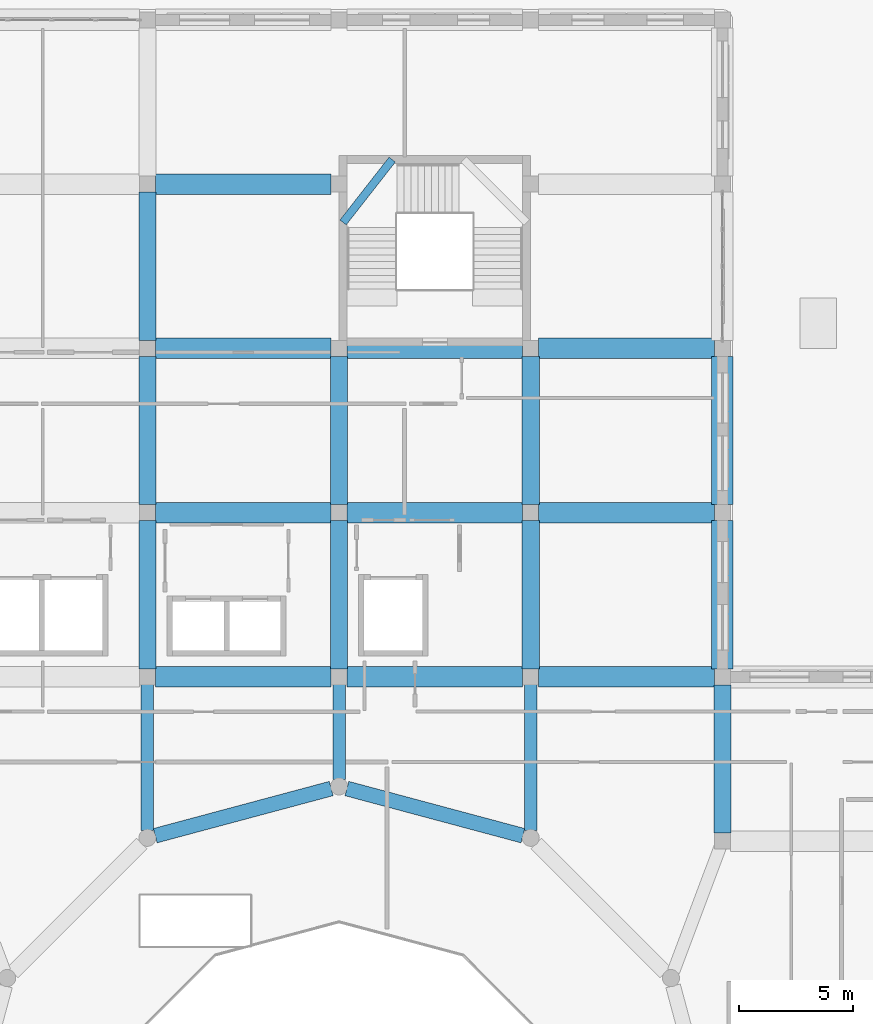
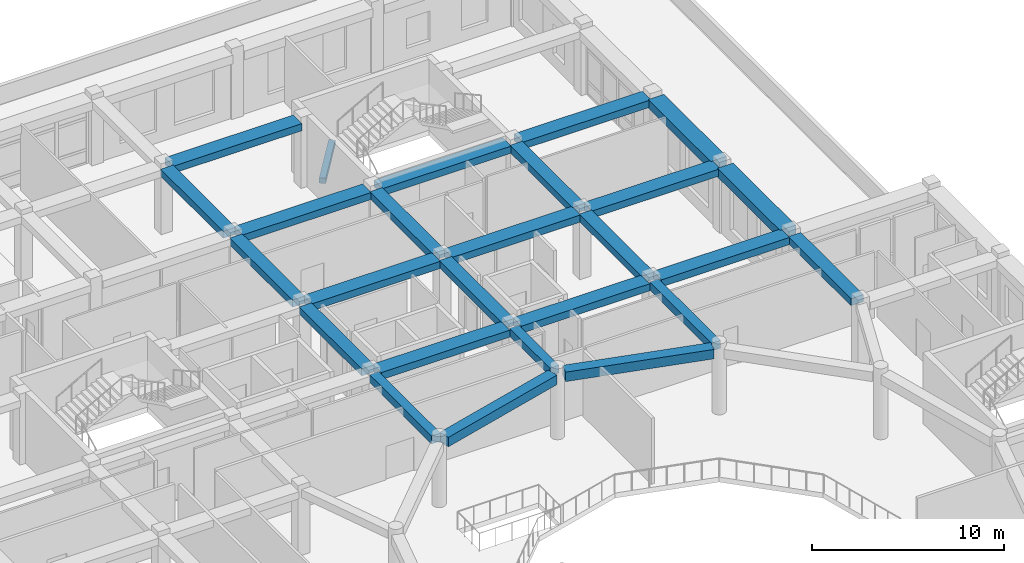
# One storey, part 33 of 100: 26 beams.
"""IFC4 building model written with IfcOpenShell, lengths in metres."""

from ifc_helpers import new_model, si_unit, derived_unit, direction, frame, origin, origin_2d, place, context, subcontext, project, spatial, rectangle, extrude, material, material_profile, profile_set, type_object, element, save


model = new_model("IFC4")

# Units and contexts
model_context = context("Model", 3, precision=1e-05, world=origin(), true_north=direction((0.0, 1.0)))
body_context = subcontext(model_context, "Body", "Model", "MODEL_VIEW")
ifc_project = project(units=[si_unit("LENGTHUNIT", "METRE"), si_unit("AREAUNIT", "SQUARE_METRE"), si_unit("VOLUMEUNIT", "CUBIC_METRE"), si_unit("PLANEANGLEUNIT", "RADIAN"), si_unit("MASSUNIT", "GRAM", prefix="KILO"), derived_unit("THERMALTRANSMITTANCEUNIT", [(si_unit("POWERUNIT", "WATT"), 1), (si_unit("LENGTHUNIT", "METRE"), -2), (si_unit("THERMODYNAMICTEMPERATUREUNIT", "KELVIN"), -1)])], contexts=[model_context])

# Site, building, storey
site_placement = place(None, origin())
site = spatial("IfcSite", under=ifc_project, at=site_placement, CompositionType="ELEMENT")
building_placement = place(site_placement, origin())
building = spatial("IfcBuilding", under=site, at=building_placement, Name="Veybourne Emporium", CompositionType="ELEMENT")
storey_placement = place(building_placement, frame((0.0, 0.0, 14.39990234375)))
storey = spatial("IfcBuildingStorey", under=building, at=storey_placement, Name="L03", CompositionType="ELEMENT", Elevation=14.39990234375)

# Beams
ifc_material = material(Name="Concrete C32/40", Category="concrete")
ifc_material_profile_1 = material_profile(ifc_material, rectangle(XDim=0.35009765625, YDim=0.35009765625, at=origin_2d()), Name="RC 350x350")
ifc_profile_set_1 = profile_set([ifc_material_profile_1], Name="Concrete C32/40")
beam_type_1 = type_object("IfcBeamType", Name="LandingBeam_LB-01", PredefinedType="BEAM", material=ifc_profile_set_1)
beam_1_placement = place(storey_placement, frame((75.77490234375, 91.919921875, 1.125), z_axis=(0.616103103005, 0.787665516871, 0.0), x_axis=(-0.787665516871, 0.616103103005, 0.0)))
element("IfcBeam", 1, at=beam_1_placement, inside=storey, type_object=beam_type_1, Name="L03 ST-04 landing 1 support beam", PredefinedType="BEAM", context=body_context, shape_type="SweptSolid", body=[
    extrude(rectangle(XDim=0.35009765625, YDim=0.35009765625, at=origin_2d()), origin(), (0.0, 0.0, 1.0), 3.497802734375),
])
ifc_material_profile_2 = material_profile(ifc_material, rectangle(XDim=0.89990234375, YDim=0.449951171875, at=origin_2d()), Name="RC 900x450")
ifc_profile_set_2 = profile_set([ifc_material_profile_2], Name="Concrete C32/40")
beam_type_2 = type_object("IfcBeamType", Name="RCBeam_BB-03", PredefinedType="BEAM", material=ifc_profile_set_2)
for number, where, z_axis, x_axis, name in (
    (2, (67.550048828125, 72.0, 3.955078125), (1.0, 0.0, 0.0), (0.0, 1.0, 0.0), "L03 X-grid beam BB-03 (8,10)"),
    (3, (67.550048828125, 79.199951171875, 3.955078125), (1.0, 0.0, 0.0), (0.0, 1.0, 0.0), "L03 X-grid beam BB-03 (8,11)"),
    (4, (67.550048828125, 86.39990234375, 3.955078125), (1.0, 0.0, 0.0), (0.0, 1.0, 0.0), "L03 X-grid beam BB-03 (8,12)"),
    (5, (67.550048828125, 93.60009765625, 3.955078125), (1.0, 0.0, 0.0), (0.0, 1.0, 0.0), "L03 X-grid beam BB-03 (8,13)"),
    (6, (75.949951171875, 72.0, 3.955078125), (1.0, 0.0, 0.0), (0.0, 1.0, 0.0), "L03 X-grid beam BB-03 (9,10)"),
    (7, (75.949951171875, 79.199951171875, 3.955078125), (1.0, 0.0, 0.0), (0.0, 1.0, 0.0), "L03 X-grid beam BB-03 (9,11)"),
    (8, (75.949951171875, 86.39990234375, 3.955078125), (1.0, 0.0, 0.0), (0.0, 1.0, 0.0), "L03 X-grid beam BB-03 (9,12)"),
    (9, (84.35009765625, 72.0, 3.955078125), (1.0, 0.0, 0.0), (0.0, 1.0, 0.0), "L03 X-grid beam BB-03 (10,10)"),
    (10, (84.35009765625, 79.199951171875, 3.955078125), (1.0, 0.0, 0.0), (0.0, 1.0, 0.0), "L03 X-grid beam BB-03 (10,11)"),
    (11, (84.35009765625, 86.39990234375, 3.955078125), (1.0, 0.0, 0.0), (0.0, 1.0, 0.0), "L03 X-grid beam BB-03 (10,12)"),
):
    element("IfcBeam", number, at=place(storey_placement, frame(where, z_axis=z_axis, x_axis=x_axis)), inside=storey, type_object=beam_type_2, Name=name, PredefinedType="BEAM", context=body_context, shape_type="SweptSolid", body=[
        extrude(rectangle(XDim=0.89990234375, YDim=0.449951171875, at=origin_2d()), origin(), (0.0, 0.0, 1.0), 7.699951171875),
    ])
ifc_material_profile_3 = material_profile(ifc_material, rectangle(XDim=0.75, YDim=0.449951171875, at=origin_2d()), Name="RC 750x450")
ifc_profile_set_3 = profile_set([ifc_material_profile_3], Name="Concrete C32/40")
beam_type_3 = type_object("IfcBeamType", Name="RCBeam_BB-04", PredefinedType="BEAM", material=ifc_profile_set_3)
for number, where, z_axis, x_axis, name in (
    (12, (67.199951171875, 72.35009765625, 3.955078125), (0.0, 1.0, 0.0), (-1.0, 0.0, 0.0), "L03 Y-grid beam BB-04 (8,10)"),
    (13, (67.199951171875, 79.550048828125, 3.955078125), (0.0, 1.0, 0.0), (-1.0, 0.0, 0.0), "L03 Y-grid beam BB-04 (8,11)"),
    (14, (67.199951171875, 86.75, 3.955078125), (0.0, 1.0, 0.0), (-1.0, 0.0, 0.0), "L03 Y-grid beam BB-04 (8,12)"),
    (15, (75.60009765625, 72.35009765625, 3.955078125), (0.0, 1.0, 0.0), (-1.0, 0.0, 0.0), "L03 Y-grid beam BB-04 (9,10)"),
    (16, (75.60009765625, 79.550048828125, 3.955078125), (0.0, 1.0, 0.0), (-1.0, 0.0, 0.0), "L03 Y-grid beam BB-04 (9,11)"),
    (17, (84.0, 72.35009765625, 3.955078125), (0.0, 1.0, 0.0), (-1.0, 0.0, 0.0), "L03 Y-grid beam BB-04 (10,10)"),
    (18, (84.0, 79.550048828125, 3.955078125), (0.0, 1.0, 0.0), (-1.0, 0.0, 0.0), "L03 Y-grid beam BB-04 (10,11)"),
    (19, (92.39990234375, 65.14990234375, 3.955078125), (0.0, 1.0, 0.0), (-1.0, 0.0, 0.0), "L03 Y-grid beam BB-04 (11,9)"),
):
    element("IfcBeam", number, at=place(storey_placement, frame(where, z_axis=z_axis, x_axis=x_axis)), inside=storey, type_object=beam_type_3, Name=name, PredefinedType="BEAM", context=body_context, shape_type="SweptSolid", body=[
        extrude(rectangle(XDim=0.75, YDim=0.449951171875, at=origin_2d()), origin(), (0.0, 0.0, 1.0), 6.5),
    ])
ifc_material_profile_4 = material_profile(ifc_material, rectangle(XDim=0.949951171875, YDim=0.550048828125, at=origin_2d()), Name="RC 950x550")
ifc_profile_set_4 = profile_set([ifc_material_profile_4], Name="Concrete C32/40")
beam_type_4 = type_object("IfcBeamType", Name="RCBeam_EB-01", PredefinedType="SPANDREL", material=ifc_profile_set_4)
for number, where, z_axis, x_axis, name in (
    (20, (92.39990234375, 72.35009765625, 3.905029296875), (0.0, 1.0, 0.0), (-1.0, 0.0, 0.0), "L03 Y-grid beam EB-01 (11,10)"),
    (21, (92.39990234375, 79.550048828125, 3.905029296875), (0.0, 1.0, 0.0), (-1.0, 0.0, 0.0), "L03 Y-grid beam EB-01 (11,11)"),
):
    element("IfcBeam", number, at=place(storey_placement, frame(where, z_axis=z_axis, x_axis=x_axis)), inside=storey, type_object=beam_type_4, Name=name, PredefinedType="SPANDREL", context=body_context, shape_type="SweptSolid", body=[
        extrude(rectangle(XDim=0.949951171875, YDim=0.550048828125, at=origin_2d()), origin(), (0.0, 0.0, 1.0), 6.5),
    ])
ifc_material_profile_5 = material_profile(ifc_material, rectangle(XDim=0.64990234375, YDim=0.60009765625, at=origin_2d()), Name="RC 650x600")
ifc_profile_set_5 = profile_set([ifc_material_profile_5], Name="Concrete C32/40")
beam_type_5 = type_object("IfcBeamType", Name="RCBeam_EB-02", PredefinedType="BEAM", material=ifc_profile_set_5)
for number, where, z_axis, x_axis, name in (
    (22, (83.656982421875, 65.041015625, 3.880126953125), (-0.965921169043, 0.258836425556, 0.0), (-0.258836425556, -0.965921169043, 0.0), "Atrium ring beam EB-02 L03-03"),
    (23, (75.257080078125, 67.108154296875, 3.880126953125), (-0.965921169043, -0.258836425556, 0.0), (0.258836425556, -0.965921169043, 0.0), "Atrium ring beam EB-02 L03-04"),
):
    element("IfcBeam", number, at=place(storey_placement, frame(where, z_axis=z_axis, x_axis=x_axis)), inside=storey, type_object=beam_type_5, Name=name, PredefinedType="BEAM", context=body_context, shape_type="SweptSolid", body=[
        extrude(rectangle(XDim=0.64990234375, YDim=0.60009765625, at=origin_2d()), origin(), (0.0, 0.0, 1.0), 7.986328125),
    ])
ifc_material_profile_6 = material_profile(ifc_material, rectangle(XDim=0.550048828125, YDim=0.5, at=origin_2d()), Name="RC 550x500")
ifc_profile_set_6 = profile_set([ifc_material_profile_6], Name="Concrete C32/40")
beam_type_6 = type_object("IfcBeamType", Name="RCBeam_TB-01", PredefinedType="BEAM", material=ifc_profile_set_6)
beam_2_placement = place(storey_placement, frame((84.0, 65.26416015625, 3.93017578125), z_axis=(0.0, 1.0, 0.0), x_axis=(-1.0, 0.0, 0.0)))
element("IfcBeam", 24, at=beam_2_placement, inside=storey, type_object=beam_type_6, Name="Atrium radial tie beam L03-03", PredefinedType="BEAM", context=body_context, shape_type="SweptSolid", body=[
    extrude(rectangle(XDim=0.550048828125, YDim=0.5, at=origin_2d()), origin(), (0.0, 0.0, 1.0), 6.44580078125),
])
beam_3_placement = place(storey_placement, frame((75.60009765625, 67.514892578125, 3.93017578125), z_axis=(0.0, 1.0, 0.0), x_axis=(-1.0, 0.0, 0.0)))
element("IfcBeam", 25, at=beam_3_placement, inside=storey, type_object=beam_type_6, Name="Atrium radial tie beam L03-04", PredefinedType="BEAM", context=body_context, shape_type="SweptSolid", body=[
    extrude(rectangle(XDim=0.550048828125, YDim=0.5, at=origin_2d()), origin(), (0.0, 0.0, 1.0), 4.195068359375),
])
beam_4_placement = place(storey_placement, frame((67.199951171875, 65.26416015625, 3.93017578125), z_axis=(0.0, 1.0, 0.0), x_axis=(-1.0, 0.0, 0.0)))
element("IfcBeam", 26, at=beam_4_placement, inside=storey, type_object=beam_type_6, Name="Atrium radial tie beam L03-05", PredefinedType="BEAM", context=body_context, shape_type="SweptSolid", body=[
    extrude(rectangle(XDim=0.550048828125, YDim=0.5, at=origin_2d()), origin(), (0.0, 0.0, 1.0), 6.44580078125),
])

save(model, "model.ifc")
